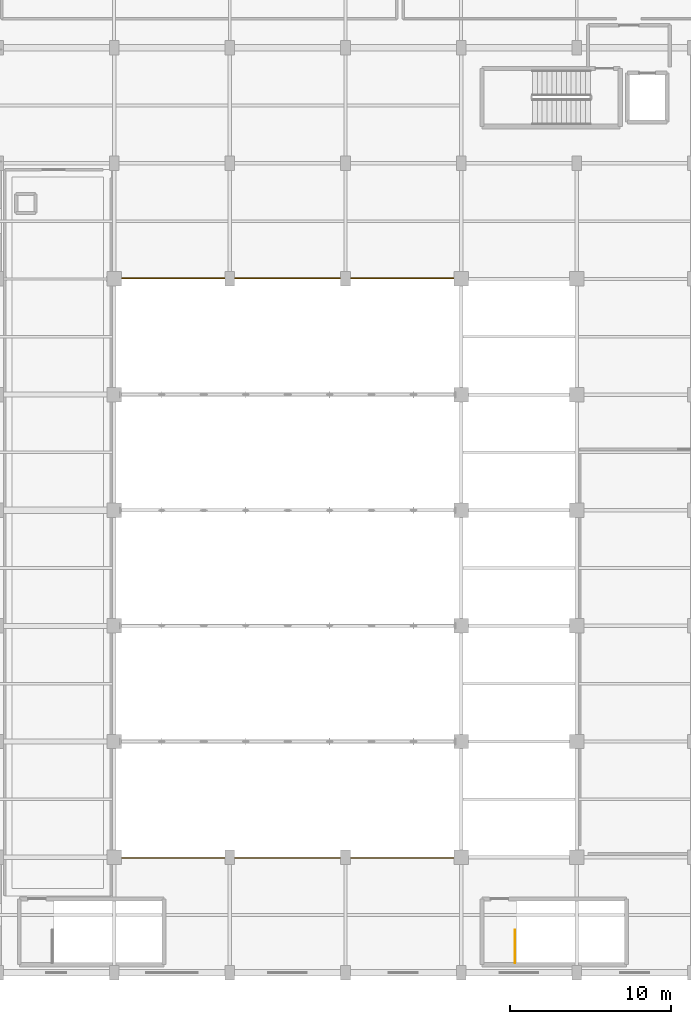
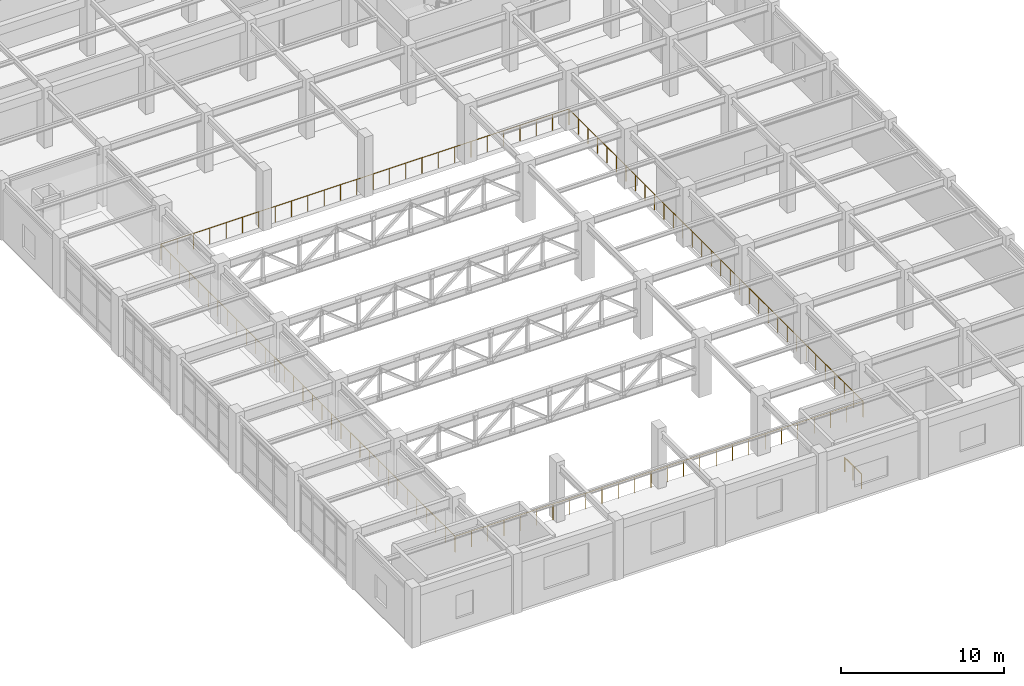
# One storey, part 103 of 106: 3 railings.
"""IFC4 building model written with IfcOpenShell, lengths in metres."""

from ifc_helpers import new_model, si_unit, direction, frame, origin, origin_2d, place, context, subcontext, project, spatial, circle, extrude, material, layer, layer_set, type_object, element, save


model = new_model("IFC4")

# Units and contexts
model_context = context("Model", 3, precision=1e-05, world=origin(), true_north=direction((0.0, 1.0)))
body_context = subcontext(model_context, "Body", "Model", "MODEL_VIEW")
ifc_project = project(units=[si_unit("LENGTHUNIT", "METRE"), si_unit("AREAUNIT", "SQUARE_METRE"), si_unit("VOLUMEUNIT", "CUBIC_METRE"), si_unit("PLANEANGLEUNIT", "RADIAN"), si_unit("MASSUNIT", "GRAM", prefix="KILO")], contexts=[model_context])

# Site, building, storey
site_placement = place(None, origin())
site = spatial("IfcSite", under=ifc_project, at=site_placement, CompositionType="ELEMENT")
building_placement = place(site_placement, origin())
building = spatial("IfcBuilding", under=site, at=building_placement, Name="Carrowvane Square Congress Hotel", CompositionType="ELEMENT")
storey_placement = place(building_placement, frame((0.0, 0.0, 10.5)))
storey = spatial("IfcBuildingStorey", under=building, at=storey_placement, Name="L02", CompositionType="ELEMENT", Elevation=10.5)

# Railings
ifc_material_1 = material(Name="Champagne-gold anodised aluminium", Category="aluminium")
ifc_layer_1 = layer(ifc_material_1, 0.070068359375)
ifc_layer_set_1 = layer_set([ifc_layer_1], Name="Champagne-gold anodised aluminium")
railing_type_1 = type_object("IfcRailingType", Name="RLG-BAL-BRZ1200", PredefinedType="BALUSTRADE", material=ifc_layer_set_1)
railing_1_placement = place(storey_placement, frame((141.14990234375, 12.574951171875, 0.0)))
element("IfcRailing", 1, at=railing_1_placement, inside=storey, type_object=railing_type_1, Name="L02 atrium void guard balustrade RLG-VOID-L02-V2 A", PredefinedType="BALUSTRADE", context=body_context, shape_type="SweptSolid", body=[
    extrude(circle(Radius=0.02392578125, at=origin_2d()), frame((0.0, 0.0, 1.17578125), z_axis=(0.0, -1.0, 0.0), x_axis=(1.0, 0.0, 0.0)), (0.0, 0.0, 1.0), 0.02490234375),
    extrude(circle(Radius=0.02392578125, at=origin_2d()), frame((0.0, -0.02490234375, 1.17578125), z_axis=(1.0, 0.0, 0.0), x_axis=(0.0, 1.0, 0.0)), (0.0, 0.0, 1.0), 28.900146484375),
    extrude(circle(Radius=0.02392578125, at=origin_2d()), frame((28.900146484375, -0.02490234375, 1.17578125), z_axis=(0.0, 1.0, 0.0), x_axis=(-1.0, 0.0, 0.0)), (0.0, 0.0, 1.0), 36.074951171875),
    extrude(circle(Radius=0.02099609375, at=origin_2d()), origin(), (0.0, 0.0, 1.0), 1.15185546875),
    extrude(circle(Radius=0.02099609375, at=origin_2d()), frame((0.0, -0.02490234375, 0.0)), (0.0, 0.0, 1.0), 1.15185546875),
    extrude(circle(Radius=0.02099609375, at=origin_2d()), frame((1.156005859375, -0.02490234375, 0.0)), (0.0, 0.0, 1.0), 1.15185546875),
    extrude(circle(Radius=0.02099609375, at=origin_2d()), frame((2.31201171875, -0.02490234375, 0.0)), (0.0, 0.0, 1.0), 1.15185546875),
    extrude(circle(Radius=0.02099609375, at=origin_2d()), frame((3.468017578125, -0.02490234375, 0.0)), (0.0, 0.0, 1.0), 1.15185546875),
    extrude(circle(Radius=0.02099609375, at=origin_2d()), frame((4.6240234375, -0.02490234375, 0.0)), (0.0, 0.0, 1.0), 1.15185546875),
    extrude(circle(Radius=0.02099609375, at=origin_2d()), frame((5.780029296875, -0.02490234375, 0.0)), (0.0, 0.0, 1.0), 1.15185546875),
    extrude(circle(Radius=0.02099609375, at=origin_2d()), frame((6.93603515625, -0.02490234375, 0.0)), (0.0, 0.0, 1.0), 1.15185546875),
    extrude(circle(Radius=0.02099609375, at=origin_2d()), frame((8.092041015625, -0.02490234375, 0.0)), (0.0, 0.0, 1.0), 1.15185546875),
    extrude(circle(Radius=0.02099609375, at=origin_2d()), frame((9.248046875, -0.02490234375, 0.0)), (0.0, 0.0, 1.0), 1.15185546875),
    extrude(circle(Radius=0.02099609375, at=origin_2d()), frame((10.404052734375, -0.02490234375, 0.0)), (0.0, 0.0, 1.0), 1.15185546875),
    extrude(circle(Radius=0.02099609375, at=origin_2d()), frame((11.56005859375, -0.02490234375, 0.0)), (0.0, 0.0, 1.0), 1.15185546875),
    extrude(circle(Radius=0.02099609375, at=origin_2d()), frame((12.716064453125, -0.02490234375, 0.0)), (0.0, 0.0, 1.0), 1.15185546875),
    extrude(circle(Radius=0.02099609375, at=origin_2d()), frame((13.8720703125, -0.02490234375, 0.0)), (0.0, 0.0, 1.0), 1.15185546875),
    extrude(circle(Radius=0.02099609375, at=origin_2d()), frame((15.028076171875, -0.02490234375, 0.0)), (0.0, 0.0, 1.0), 1.15185546875),
    extrude(circle(Radius=0.02099609375, at=origin_2d()), frame((16.18408203125, -0.02490234375, 0.0)), (0.0, 0.0, 1.0), 1.15185546875),
    extrude(circle(Radius=0.02099609375, at=origin_2d()), frame((17.340087890625, -0.02490234375, 0.0)), (0.0, 0.0, 1.0), 1.15185546875),
    extrude(circle(Radius=0.02099609375, at=origin_2d()), frame((18.49609375, -0.02490234375, 0.0)), (0.0, 0.0, 1.0), 1.15185546875),
    extrude(circle(Radius=0.02099609375, at=origin_2d()), frame((19.652099609375, -0.02490234375, 0.0)), (0.0, 0.0, 1.0), 1.15185546875),
    extrude(circle(Radius=0.02099609375, at=origin_2d()), frame((20.80810546875, -0.02490234375, 0.0)), (0.0, 0.0, 1.0), 1.15185546875),
    extrude(circle(Radius=0.02099609375, at=origin_2d()), frame((21.964111328125, -0.02490234375, 0.0)), (0.0, 0.0, 1.0), 1.15185546875),
    extrude(circle(Radius=0.02099609375, at=origin_2d()), frame((23.1201171875, -0.02490234375, 0.0)), (0.0, 0.0, 1.0), 1.15185546875),
    extrude(circle(Radius=0.02099609375, at=origin_2d()), frame((24.276123046875, -0.02490234375, 0.0)), (0.0, 0.0, 1.0), 1.15185546875),
    extrude(circle(Radius=0.02099609375, at=origin_2d()), frame((25.43212890625, -0.02490234375, 0.0)), (0.0, 0.0, 1.0), 1.15185546875),
    extrude(circle(Radius=0.02099609375, at=origin_2d()), frame((26.588134765625, -0.02490234375, 0.0)), (0.0, 0.0, 1.0), 1.15185546875),
    extrude(circle(Radius=0.02099609375, at=origin_2d()), frame((27.744140625, -0.02490234375, 0.0)), (0.0, 0.0, 1.0), 1.15185546875),
    extrude(circle(Radius=0.02099609375, at=origin_2d()), frame((28.900146484375, -0.02490234375, 0.0)), (0.0, 0.0, 1.0), 1.15185546875),
    extrude(circle(Radius=0.02099609375, at=origin_2d()), frame((28.900146484375, 1.138916015625, 0.0)), (0.0, 0.0, 1.0), 1.15185546875),
    extrude(circle(Radius=0.02099609375, at=origin_2d()), frame((28.900146484375, 2.302490234375, 0.0)), (0.0, 0.0, 1.0), 1.15185546875),
    extrude(circle(Radius=0.02099609375, at=origin_2d()), frame((28.900146484375, 3.46630859375, 0.0)), (0.0, 0.0, 1.0), 1.15185546875),
    extrude(circle(Radius=0.02099609375, at=origin_2d()), frame((28.900146484375, 4.6298828125, 0.0)), (0.0, 0.0, 1.0), 1.15185546875),
    extrude(circle(Radius=0.02099609375, at=origin_2d()), frame((28.900146484375, 5.793701171875, 0.0)), (0.0, 0.0, 1.0), 1.15185546875),
    extrude(circle(Radius=0.02099609375, at=origin_2d()), frame((28.900146484375, 6.957275390625, 0.0)), (0.0, 0.0, 1.0), 1.15185546875),
    extrude(circle(Radius=0.02099609375, at=origin_2d()), frame((28.900146484375, 8.12109375, 0.0)), (0.0, 0.0, 1.0), 1.15185546875),
    extrude(circle(Radius=0.02099609375, at=origin_2d()), frame((28.900146484375, 9.28466796875, 0.0)), (0.0, 0.0, 1.0), 1.15185546875),
    extrude(circle(Radius=0.02099609375, at=origin_2d()), frame((28.900146484375, 10.448486328125, 0.0)), (0.0, 0.0, 1.0), 1.15185546875),
    extrude(circle(Radius=0.02099609375, at=origin_2d()), frame((28.900146484375, 11.612060546875, 0.0)), (0.0, 0.0, 1.0), 1.15185546875),
    extrude(circle(Radius=0.02099609375, at=origin_2d()), frame((28.900146484375, 12.77587890625, 0.0)), (0.0, 0.0, 1.0), 1.15185546875),
    extrude(circle(Radius=0.02099609375, at=origin_2d()), frame((28.900146484375, 13.939697265625, 0.0)), (0.0, 0.0, 1.0), 1.15185546875),
    extrude(circle(Radius=0.02099609375, at=origin_2d()), frame((28.900146484375, 15.103271484375, 0.0)), (0.0, 0.0, 1.0), 1.15185546875),
    extrude(circle(Radius=0.02099609375, at=origin_2d()), frame((28.900146484375, 16.26708984375, 0.0)), (0.0, 0.0, 1.0), 1.15185546875),
    extrude(circle(Radius=0.02099609375, at=origin_2d()), frame((28.900146484375, 17.4306640625, 0.0)), (0.0, 0.0, 1.0), 1.15185546875),
    extrude(circle(Radius=0.02099609375, at=origin_2d()), frame((28.900146484375, 18.594482421875, 0.0)), (0.0, 0.0, 1.0), 1.15185546875),
    extrude(circle(Radius=0.02099609375, at=origin_2d()), frame((28.900146484375, 19.758056640625, 0.0)), (0.0, 0.0, 1.0), 1.15185546875),
    extrude(circle(Radius=0.02099609375, at=origin_2d()), frame((28.900146484375, 20.921875, 0.0)), (0.0, 0.0, 1.0), 1.15185546875),
    extrude(circle(Radius=0.02099609375, at=origin_2d()), frame((28.900146484375, 22.08544921875, 0.0)), (0.0, 0.0, 1.0), 1.15185546875),
    extrude(circle(Radius=0.02099609375, at=origin_2d()), frame((28.900146484375, 23.249267578125, 0.0)), (0.0, 0.0, 1.0), 1.15185546875),
    extrude(circle(Radius=0.02099609375, at=origin_2d()), frame((28.900146484375, 24.4130859375, 0.0)), (0.0, 0.0, 1.0), 1.15185546875),
    extrude(circle(Radius=0.02099609375, at=origin_2d()), frame((28.900146484375, 25.57666015625, 0.0)), (0.0, 0.0, 1.0), 1.15185546875),
    extrude(circle(Radius=0.02099609375, at=origin_2d()), frame((28.900146484375, 26.740478515625, 0.0)), (0.0, 0.0, 1.0), 1.15185546875),
    extrude(circle(Radius=0.02099609375, at=origin_2d()), frame((28.900146484375, 27.904052734375, 0.0)), (0.0, 0.0, 1.0), 1.15185546875),
    extrude(circle(Radius=0.02099609375, at=origin_2d()), frame((28.900146484375, 29.06787109375, 0.0)), (0.0, 0.0, 1.0), 1.15185546875),
    extrude(circle(Radius=0.02099609375, at=origin_2d()), frame((28.900146484375, 30.2314453125, 0.0)), (0.0, 0.0, 1.0), 1.15185546875),
    extrude(circle(Radius=0.02099609375, at=origin_2d()), frame((28.900146484375, 31.395263671875, 0.0)), (0.0, 0.0, 1.0), 1.15185546875),
    extrude(circle(Radius=0.02099609375, at=origin_2d()), frame((28.900146484375, 32.558837890625, 0.0)), (0.0, 0.0, 1.0), 1.15185546875),
    extrude(circle(Radius=0.02099609375, at=origin_2d()), frame((28.900146484375, 33.72265625, 0.0)), (0.0, 0.0, 1.0), 1.15185546875),
    extrude(circle(Radius=0.02099609375, at=origin_2d()), frame((28.900146484375, 34.88623046875, 0.0)), (0.0, 0.0, 1.0), 1.15185546875),
    extrude(circle(Radius=0.02099609375, at=origin_2d()), frame((28.900146484375, 36.050048828125, 0.0)), (0.0, 0.0, 1.0), 1.15185546875),
])
railing_2_placement = place(storey_placement, frame((170.050048828125, 48.64990234375, 0.0)))
element("IfcRailing", 2, at=railing_2_placement, inside=storey, type_object=railing_type_1, Name="L02 atrium void guard balustrade RLG-VOID-L02-V2 B", PredefinedType="BALUSTRADE", context=body_context, shape_type="SweptSolid", body=[
    extrude(circle(Radius=0.02392578125, at=origin_2d()), frame((0.0, 0.0, 1.17578125), z_axis=(-1.0, 0.0, 0.0), x_axis=(0.0, -1.0, 0.0)), (0.0, 0.0, 1.0), 28.900146484375),
    extrude(circle(Radius=0.02392578125, at=origin_2d()), frame((-28.900146484375, 0.0, 1.17578125), z_axis=(0.0, -1.0, 0.0), x_axis=(1.0, 0.0, 0.0)), (0.0, 0.0, 1.0), 36.044921875),
    extrude(circle(Radius=0.02099609375, at=origin_2d()), origin(), (0.0, 0.0, 1.0), 1.15185546875),
    extrude(circle(Radius=0.02099609375, at=origin_2d()), frame((-1.156005859375, 0.0, 0.0)), (0.0, 0.0, 1.0), 1.15185546875),
    extrude(circle(Radius=0.02099609375, at=origin_2d()), frame((-2.31201171875, 0.0, 0.0)), (0.0, 0.0, 1.0), 1.15185546875),
    extrude(circle(Radius=0.02099609375, at=origin_2d()), frame((-3.468017578125, 0.0, 0.0)), (0.0, 0.0, 1.0), 1.15185546875),
    extrude(circle(Radius=0.02099609375, at=origin_2d()), frame((-4.6240234375, 0.0, 0.0)), (0.0, 0.0, 1.0), 1.15185546875),
    extrude(circle(Radius=0.02099609375, at=origin_2d()), frame((-5.780029296875, 0.0, 0.0)), (0.0, 0.0, 1.0), 1.15185546875),
    extrude(circle(Radius=0.02099609375, at=origin_2d()), frame((-6.93603515625, 0.0, 0.0)), (0.0, 0.0, 1.0), 1.15185546875),
    extrude(circle(Radius=0.02099609375, at=origin_2d()), frame((-8.092041015625, 0.0, 0.0)), (0.0, 0.0, 1.0), 1.15185546875),
    extrude(circle(Radius=0.02099609375, at=origin_2d()), frame((-9.248046875, 0.0, 0.0)), (0.0, 0.0, 1.0), 1.15185546875),
    extrude(circle(Radius=0.02099609375, at=origin_2d()), frame((-10.404052734375, 0.0, 0.0)), (0.0, 0.0, 1.0), 1.15185546875),
    extrude(circle(Radius=0.02099609375, at=origin_2d()), frame((-11.56005859375, 0.0, 0.0)), (0.0, 0.0, 1.0), 1.15185546875),
    extrude(circle(Radius=0.02099609375, at=origin_2d()), frame((-12.716064453125, 0.0, 0.0)), (0.0, 0.0, 1.0), 1.15185546875),
    extrude(circle(Radius=0.02099609375, at=origin_2d()), frame((-13.8720703125, 0.0, 0.0)), (0.0, 0.0, 1.0), 1.15185546875),
    extrude(circle(Radius=0.02099609375, at=origin_2d()), frame((-15.028076171875, 0.0, 0.0)), (0.0, 0.0, 1.0), 1.15185546875),
    extrude(circle(Radius=0.02099609375, at=origin_2d()), frame((-16.18408203125, 0.0, 0.0)), (0.0, 0.0, 1.0), 1.15185546875),
    extrude(circle(Radius=0.02099609375, at=origin_2d()), frame((-17.340087890625, 0.0, 0.0)), (0.0, 0.0, 1.0), 1.15185546875),
    extrude(circle(Radius=0.02099609375, at=origin_2d()), frame((-18.49609375, 0.0, 0.0)), (0.0, 0.0, 1.0), 1.15185546875),
    extrude(circle(Radius=0.02099609375, at=origin_2d()), frame((-19.652099609375, 0.0, 0.0)), (0.0, 0.0, 1.0), 1.15185546875),
    extrude(circle(Radius=0.02099609375, at=origin_2d()), frame((-20.80810546875, 0.0, 0.0)), (0.0, 0.0, 1.0), 1.15185546875),
    extrude(circle(Radius=0.02099609375, at=origin_2d()), frame((-21.964111328125, 0.0, 0.0)), (0.0, 0.0, 1.0), 1.15185546875),
    extrude(circle(Radius=0.02099609375, at=origin_2d()), frame((-23.1201171875, 0.0, 0.0)), (0.0, 0.0, 1.0), 1.15185546875),
    extrude(circle(Radius=0.02099609375, at=origin_2d()), frame((-24.276123046875, 0.0, 0.0)), (0.0, 0.0, 1.0), 1.15185546875),
    extrude(circle(Radius=0.02099609375, at=origin_2d()), frame((-25.43212890625, 0.0, 0.0)), (0.0, 0.0, 1.0), 1.15185546875),
    extrude(circle(Radius=0.02099609375, at=origin_2d()), frame((-26.588134765625, 0.0, 0.0)), (0.0, 0.0, 1.0), 1.15185546875),
    extrude(circle(Radius=0.02099609375, at=origin_2d()), frame((-27.744140625, 0.0, 0.0)), (0.0, 0.0, 1.0), 1.15185546875),
    extrude(circle(Radius=0.02099609375, at=origin_2d()), frame((-28.900146484375, 0.0, 0.0)), (0.0, 0.0, 1.0), 1.15185546875),
    extrude(circle(Radius=0.02099609375, at=origin_2d()), frame((-28.900146484375, -1.162841796875, 0.0)), (0.0, 0.0, 1.0), 1.15185546875),
    extrude(circle(Radius=0.02099609375, at=origin_2d()), frame((-28.900146484375, -2.325439453125, 0.0)), (0.0, 0.0, 1.0), 1.15185546875),
    extrude(circle(Radius=0.02099609375, at=origin_2d()), frame((-28.900146484375, -3.48828125, 0.0)), (0.0, 0.0, 1.0), 1.15185546875),
    extrude(circle(Radius=0.02099609375, at=origin_2d()), frame((-28.900146484375, -4.65087890625, 0.0)), (0.0, 0.0, 1.0), 1.15185546875),
    extrude(circle(Radius=0.02099609375, at=origin_2d()), frame((-28.900146484375, -5.813720703125, 0.0)), (0.0, 0.0, 1.0), 1.15185546875),
    extrude(circle(Radius=0.02099609375, at=origin_2d()), frame((-28.900146484375, -6.976318359375, 0.0)), (0.0, 0.0, 1.0), 1.15185546875),
    extrude(circle(Radius=0.02099609375, at=origin_2d()), frame((-28.900146484375, -8.13916015625, 0.0)), (0.0, 0.0, 1.0), 1.15185546875),
    extrude(circle(Radius=0.02099609375, at=origin_2d()), frame((-28.900146484375, -9.302001953125, 0.0)), (0.0, 0.0, 1.0), 1.15185546875),
    extrude(circle(Radius=0.02099609375, at=origin_2d()), frame((-28.900146484375, -10.464599609375, 0.0)), (0.0, 0.0, 1.0), 1.15185546875),
    extrude(circle(Radius=0.02099609375, at=origin_2d()), frame((-28.900146484375, -11.62744140625, 0.0)), (0.0, 0.0, 1.0), 1.15185546875),
    extrude(circle(Radius=0.02099609375, at=origin_2d()), frame((-28.900146484375, -12.7900390625, 0.0)), (0.0, 0.0, 1.0), 1.15185546875),
    extrude(circle(Radius=0.02099609375, at=origin_2d()), frame((-28.900146484375, -13.952880859375, 0.0)), (0.0, 0.0, 1.0), 1.15185546875),
    extrude(circle(Radius=0.02099609375, at=origin_2d()), frame((-28.900146484375, -15.11572265625, 0.0)), (0.0, 0.0, 1.0), 1.15185546875),
    extrude(circle(Radius=0.02099609375, at=origin_2d()), frame((-28.900146484375, -16.2783203125, 0.0)), (0.0, 0.0, 1.0), 1.15185546875),
    extrude(circle(Radius=0.02099609375, at=origin_2d()), frame((-28.900146484375, -17.441162109375, 0.0)), (0.0, 0.0, 1.0), 1.15185546875),
    extrude(circle(Radius=0.02099609375, at=origin_2d()), frame((-28.900146484375, -18.603759765625, 0.0)), (0.0, 0.0, 1.0), 1.15185546875),
    extrude(circle(Radius=0.02099609375, at=origin_2d()), frame((-28.900146484375, -19.7666015625, 0.0)), (0.0, 0.0, 1.0), 1.15185546875),
    extrude(circle(Radius=0.02099609375, at=origin_2d()), frame((-28.900146484375, -20.92919921875, 0.0)), (0.0, 0.0, 1.0), 1.15185546875),
    extrude(circle(Radius=0.02099609375, at=origin_2d()), frame((-28.900146484375, -22.092041015625, 0.0)), (0.0, 0.0, 1.0), 1.15185546875),
    extrude(circle(Radius=0.02099609375, at=origin_2d()), frame((-28.900146484375, -23.2548828125, 0.0)), (0.0, 0.0, 1.0), 1.15185546875),
    extrude(circle(Radius=0.02099609375, at=origin_2d()), frame((-28.900146484375, -24.41748046875, 0.0)), (0.0, 0.0, 1.0), 1.15185546875),
    extrude(circle(Radius=0.02099609375, at=origin_2d()), frame((-28.900146484375, -25.580322265625, 0.0)), (0.0, 0.0, 1.0), 1.15185546875),
    extrude(circle(Radius=0.02099609375, at=origin_2d()), frame((-28.900146484375, -26.742919921875, 0.0)), (0.0, 0.0, 1.0), 1.15185546875),
    extrude(circle(Radius=0.02099609375, at=origin_2d()), frame((-28.900146484375, -27.90576171875, 0.0)), (0.0, 0.0, 1.0), 1.15185546875),
    extrude(circle(Radius=0.02099609375, at=origin_2d()), frame((-28.900146484375, -29.068603515625, 0.0)), (0.0, 0.0, 1.0), 1.15185546875),
    extrude(circle(Radius=0.02099609375, at=origin_2d()), frame((-28.900146484375, -30.231201171875, 0.0)), (0.0, 0.0, 1.0), 1.15185546875),
    extrude(circle(Radius=0.02099609375, at=origin_2d()), frame((-28.900146484375, -31.39404296875, 0.0)), (0.0, 0.0, 1.0), 1.15185546875),
    extrude(circle(Radius=0.02099609375, at=origin_2d()), frame((-28.900146484375, -32.556640625, 0.0)), (0.0, 0.0, 1.0), 1.15185546875),
    extrude(circle(Radius=0.02099609375, at=origin_2d()), frame((-28.900146484375, -33.719482421875, 0.0)), (0.0, 0.0, 1.0), 1.15185546875),
    extrude(circle(Radius=0.02099609375, at=origin_2d()), frame((-28.900146484375, -34.882080078125, 0.0)), (0.0, 0.0, 1.0), 1.15185546875),
    extrude(circle(Radius=0.02099609375, at=origin_2d()), frame((-28.900146484375, -36.044921875, 0.0)), (0.0, 0.0, 1.0), 1.15185546875),
])
ifc_material_2 = material(Name="Galvanised steel", Category="steel")
ifc_layer_2 = layer(ifc_material_2, 0.048095703125)
ifc_layer_set_2 = layer_set([ifc_layer_2], Name="Galvanised steel")
railing_type_2 = type_object("IfcRailingType", Name="RLG-STG-1100", PredefinedType="GUARDRAIL", material=ifc_layer_set_2)
railing_3_placement = place(storey_placement, frame((166.14990234375, 6.0, 0.0)))
element("IfcRailing", 3, at=railing_3_placement, inside=storey, type_object=railing_type_2, Name="L02 ST11 top well guard 1", PredefinedType="GUARDRAIL", context=body_context, shape_type="SweptSolid", body=[
    extrude(circle(Radius=0.02392578125, at=origin_2d()), frame((0.0, 0.0, 1.076171875), z_axis=(0.0, 1.0, 0.0), x_axis=(-1.0, 0.0, 0.0)), (0.0, 0.0, 1.0), 2.050048828125),
    extrude(circle(Radius=0.02099609375, at=origin_2d()), origin(), (0.0, 0.0, 1.0), 1.052001953125),
    extrude(circle(Radius=0.02099609375, at=origin_2d()), frame((0.0, 1.02490234375, 0.0)), (0.0, 0.0, 1.0), 1.052001953125),
    extrude(circle(Radius=0.02099609375, at=origin_2d()), frame((0.0, 2.050048828125, 0.0)), (0.0, 0.0, 1.0), 1.052001953125),
])

save(model, "model.ifc")
